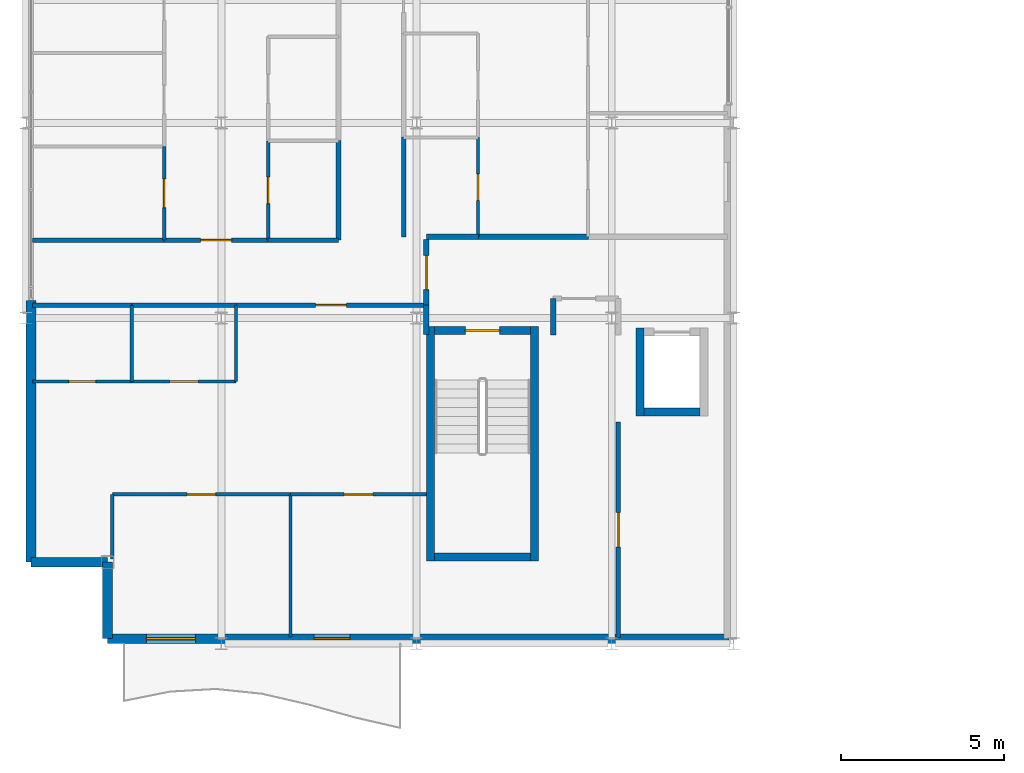
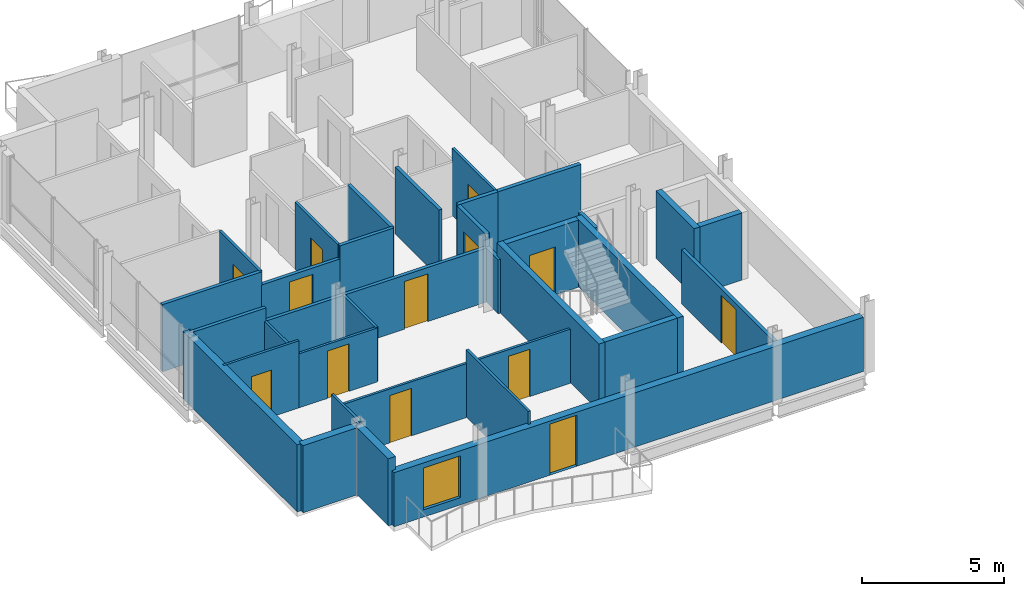
# One storey, part 23 of 29: 35 walls, 13 doors, 1 window, 14 openings.
"""IFC4 building model written with IfcOpenShell, lengths in metres."""

from ifc_helpers import new_model, si_unit, direction, frame, frame_2d, origin, place, context, subcontext, project, spatial, rectangle, extrude, material, layer, layer_set, type_object, element, fill, save


model = new_model("IFC4")

# Units and contexts
model_context = context("Model", 3, precision=1e-05, world=origin(), true_north=direction((0.0, 1.0)))
body_context = subcontext(model_context, "Body", "Model", "MODEL_VIEW")
ifc_project = project(units=[si_unit("LENGTHUNIT", "METRE"), si_unit("AREAUNIT", "SQUARE_METRE"), si_unit("VOLUMEUNIT", "CUBIC_METRE"), si_unit("PLANEANGLEUNIT", "RADIAN"), si_unit("MASSUNIT", "GRAM", prefix="KILO")], contexts=[model_context])

# Site, building, storey
site_placement = place(None, origin())
site = spatial("IfcSite", under=ifc_project, at=site_placement, CompositionType="ELEMENT")
building_placement = place(site_placement, origin())
building = spatial("IfcBuilding", under=site, at=building_placement, Name="Brevholm Reach", CompositionType="ELEMENT")
storey_placement = place(building_placement, frame((0.0, 0.0, 208.0)))
storey = spatial("IfcBuildingStorey", under=building, at=storey_placement, Name="L63", CompositionType="ELEMENT", Elevation=208.0)

# Walls
ifc_material_1 = material(Name="Concrete C45/55", Category="concrete")
ifc_layer_1 = layer(ifc_material_1, 0.239990234375)
ifc_layer_set_1 = layer_set([ifc_layer_1], Name="Concrete C45/55")
wall_type_1 = type_object("IfcWallType", Name="WAL-COR-240", PredefinedType="SHEAR", material=ifc_layer_set_1)
for number, where, z_axis, x_axis, name in (
    (1, (12.429931640625, 2.5400390625, 0.0), (0.0, 0.0, 1.0), (0.0, 1.0, 0.0), "L63 Escape Stair ST-1 Core Wall W"),
    (2, (15.6201171875, 2.5400390625, 0.0), (0.0, 0.0, 1.0), (0.0, 1.0, 0.0), "L63 Escape Stair ST-1 Core Wall E"),
):
    element("IfcWall", number, at=place(storey_placement, frame(where, z_axis=z_axis, x_axis=x_axis)), inside=storey, type_object=wall_type_1, Name=name, PredefinedType="SHEAR", context=body_context, shape_type="SweptSolid", body=[
        extrude(rectangle(XDim=7.199951171875, YDim=0.239990234375, at=frame_2d((3.60009765625, 0.0))), origin(), (0.0, 0.0, 1.0), 2.889892578125),
    ])
wall_1_placement = place(storey_placement, frame((12.550048828125, 2.659912109375, 0.0), z_axis=(0.0, 0.0, 1.0), x_axis=(1.0, 0.0, 0.0)))
element("IfcWall", 3, at=wall_1_placement, inside=storey, type_object=wall_type_1, Name="L63 Escape Stair ST-1 Core Wall S", PredefinedType="SHEAR", context=body_context, shape_type="SweptSolid", body=[
    extrude(rectangle(XDim=2.949951171875, YDim=0.239990234375, at=frame_2d((1.47509765625, 0.0))), origin(), (0.0, 0.0, 1.0), 2.889892578125),
])

# Wall, opening, door
wall_2_placement = place(storey_placement, frame((15.5, 9.6201171875, 0.0), z_axis=(0.0, 0.0, 1.0), x_axis=(-1.0, 0.0, 0.0)))
wall_2 = element("IfcWall", 4, at=wall_2_placement, inside=storey, type_object=wall_type_1, Name="L63 Escape Stair ST-1 Core Wall N", PredefinedType="SHEAR", context=body_context, shape_type="SweptSolid", body=[
    extrude(rectangle(XDim=2.949951171875, YDim=0.239990234375, at=frame_2d((1.47509765625, 0.0))), origin(), (0.0, 0.0, 1.0), 2.889892578125),
])
opening_1_placement = place(wall_2_placement, frame((0.949951171875, 0.0, 0.0)))
opening_1 = element("IfcOpeningElement", 5, at=opening_1_placement, cuts=wall_2, Name="Opening SD-ST-1", PredefinedType="OPENING", context=body_context, shape_type="SweptSolid", body=[
    extrude(rectangle(XDim=1.050048828125, YDim=2.06005859375, at=frame_2d((0.52490234375, 1.030029296875))), frame((0.0, 0.1298828125, 0.0), z_axis=(0.0, -1.0, 0.0), x_axis=(1.0, 0.0, 0.0)), (0.0, 0.0, 1.0), 0.260009765625),
])
ifc_material_2 = material(Name="Hardwood-Lipped Steel-Core Fire and Smoke Door", Category="steel")
door_type_1 = type_object("IfcDoorType", Name="DOR-INT-FD60S", OperationType="NOTDEFINED", PredefinedType="DOOR", material=ifc_material_2)
door_1_placement = place(opening_1_placement, origin())
door_1 = element("IfcDoor", 6, at=door_1_placement, inside=storey, type_object=door_type_1, Name="L63 Protected Stair ST-1 Lobby Door", OperationType="SINGLE_SWING_LEFT", OverallHeight=2.06005859375, OverallWidth=1.050048828125, PredefinedType="DOOR", context=body_context, shape_type="SweptSolid", body=[
    extrude(rectangle(XDim=1.050048828125, YDim=2.06005859375, at=frame_2d((0.52490234375, 1.030029296875))), frame((0.0, 0.02490234375, 0.0), z_axis=(0.0, -1.0, 0.0), x_axis=(1.0, 0.0, 0.0)), (0.0, 0.0, 1.0), 0.050048828125),
])
fill(opening_1, door_1)

# Walls
wall_3_placement = place(storey_placement, frame((18.8701171875, 7.0, 0.0), z_axis=(0.0, 0.0, 1.0), x_axis=(0.0, 1.0, 0.0)))
element("IfcWall", 7, at=wall_3_placement, inside=storey, type_object=wall_type_1, Name="L63 Lift FFL-1 Shaft Wall W", PredefinedType="SHEAR", context=body_context, shape_type="SweptSolid", body=[
    extrude(rectangle(XDim=2.699951171875, YDim=0.239990234375, at=frame_2d((1.35009765625, 0.0))), origin(), (0.0, 0.0, 1.0), 2.889892578125),
])
wall_4_placement = place(storey_placement, frame((18.989990234375, 7.1201171875, 0.0), z_axis=(0.0, 0.0, 1.0), x_axis=(1.0, 0.0, 0.0)))
element("IfcWall", 8, at=wall_4_placement, inside=storey, type_object=wall_type_1, Name="L63 Lift FFL-1 Shaft Wall S", PredefinedType="SHEAR", context=body_context, shape_type="SweptSolid", body=[
    extrude(rectangle(XDim=1.719970703125, YDim=0.239990234375, at=frame_2d((0.85986328125, 0.0))), origin(), (0.0, 0.0, 1.0), 2.889892578125),
])
ifc_material_3 = material(Name="Concrete C40/50", Category="concrete")
ifc_layer_2 = layer(ifc_material_3, 0.300048828125)
ifc_layer_set_2 = layer_set([ifc_layer_2], Name="Concrete C40/50")
wall_type_2 = type_object("IfcWallType", Name="WAL-EXT-300", PredefinedType="STANDARD", material=ifc_layer_set_2)
for number, where, z_axis, x_axis, name in (
    (9, (2.5, 2.5, 0.0), (0.0, 0.0, 1.0), (0.0, -1.0, 0.0), "L63 Facade Wall WAL-L63-WW-CSW1"),
    (10, (0.14990234375, 2.5, 0.0), (0.0, 0.0, 1.0), (1.0, 0.0, 0.0), "L63 Facade Wall WAL-L63-WW-CSW2"),
):
    element("IfcWall", number, at=place(storey_placement, frame(where, z_axis=z_axis, x_axis=x_axis)), inside=storey, type_object=wall_type_2, Name=name, PredefinedType="STANDARD", context=body_context, shape_type="SweptSolid", body=[
        extrude(rectangle(XDim=2.35009765625, YDim=0.300048828125, at=frame_2d((1.175048828125, 0.0))), origin(), (0.0, 0.0, 1.0), 2.889892578125),
    ])

# Wall, openings, door, window
wall_5_placement = place(storey_placement, frame((2.5, 0.14990234375, 0.0), z_axis=(0.0, 0.0, 1.0), x_axis=(1.0, 0.0, 0.0)))
wall_5 = element("IfcWall", 11, at=wall_5_placement, inside=storey, type_object=wall_type_2, Name="L63 Facade Wall WAL-L63-WW-S", PredefinedType="STANDARD", context=body_context, shape_type="SweptSolid", body=[
    extrude(rectangle(XDim=19.10009765625, YDim=0.300048828125, at=frame_2d((9.550048828125, 0.0))), origin(), (0.0, 0.0, 1.0), 2.331787109375),
])
opening_2_placement = place(wall_5_placement, frame((6.35009765625, 0.0, 0.0)))
opening_2 = element("IfcOpeningElement", 12, at=opening_2_placement, cuts=wall_5, Name="Opening BD-01", PredefinedType="OPENING", context=body_context, shape_type="SweptSolid", body=[
    extrude(rectangle(XDim=1.10009765625, YDim=2.199951171875, at=frame_2d((0.550048828125, 1.10009765625))), frame((0.0, 0.159912109375, 0.0), z_axis=(0.0, -1.0, 0.0), x_axis=(1.0, 0.0, 0.0)), (0.0, 0.0, 1.0), 0.320068359375),
])
opening_3_placement = place(wall_5_placement, frame((1.199951171875, 0.0, 0.31201171875)))
opening_3 = element("IfcOpeningElement", 13, at=opening_3_placement, cuts=wall_5, Name="Opening WN-05", PredefinedType="OPENING", context=body_context, shape_type="SweptSolid", body=[
    extrude(rectangle(XDim=1.5, YDim=1.800048828125, at=frame_2d((0.75, 0.89990234375))), frame((0.0, 0.159912109375, 0.0), z_axis=(0.0, -1.0, 0.0), x_axis=(1.0, 0.0, 0.0)), (0.0, 0.0, 1.0), 0.320068359375),
])
ifc_material_4 = material(Name="Dark Anodised Aluminium and Triple-Glazed Glass", Category="aluminium")
door_type_2 = type_object("IfcDoorType", Name="DOR-BALC-1100", OperationType="NOTDEFINED", PredefinedType="DOOR", material=ifc_material_4)
door_2_placement = place(opening_2_placement, origin())
door_2 = element("IfcDoor", 14, at=door_2_placement, inside=storey, type_object=door_type_2, Name="L63 Exterior Door DOR-L63-BL-SW", OperationType="SINGLE_SWING_RIGHT", OverallHeight=2.199951171875, OverallWidth=1.10009765625, PredefinedType="DOOR", context=body_context, shape_type="SweptSolid", body=[
    extrude(rectangle(XDim=1.10009765625, YDim=2.199951171875, at=frame_2d((0.550048828125, 1.10009765625))), frame((0.0, 0.02490234375, 0.0), z_axis=(0.0, -1.0, 0.0), x_axis=(1.0, 0.0, 0.0)), (0.0, 0.0, 1.0), 0.050048828125),
])
fill(opening_2, door_2)
ifc_material_5 = material(Name="Dark Anodised Aluminium and Solar-Control IGU Glass", Category="aluminium")
window_type = type_object("IfcWindowType", Name="WIN-RES-1500", PartitioningType="SINGLE_PANEL", PredefinedType="WINDOW", material=ifc_material_5)
window_placement = place(opening_3_placement, origin())
window = element("IfcWindow", 15, at=window_placement, inside=storey, type_object=window_type, Name="L63 Window WIN-L63-WWS-1", OverallHeight=1.800048828125, OverallWidth=1.5, PartitioningType="SINGLE_PANEL", PredefinedType="WINDOW", context=body_context, shape_type="SweptSolid", body=[
    extrude(rectangle(XDim=1.5, YDim=1.800048828125, at=frame_2d((0.75, 0.89990234375))), frame((0.0, 0.030029296875, 0.0), z_axis=(0.0, -1.0, 0.0), x_axis=(1.0, 0.0, 0.0)), (0.0, 0.0, 1.0), 0.06005859375),
])
fill(opening_3, window)

# Walls
wall_6_placement = place(storey_placement, frame((0.14990234375, 10.550048828125, 0.0), z_axis=(0.0, 0.0, 1.0), x_axis=(0.0, -1.0, 0.0)))
element("IfcWall", 16, at=wall_6_placement, inside=storey, type_object=wall_type_2, Name="L63 Facade Wall WAL-L63-WW-WS", PredefinedType="STANDARD", context=body_context, shape_type="SweptSolid", body=[
    extrude(rectangle(XDim=8.050048828125, YDim=0.300048828125, at=frame_2d((4.02490234375, 0.0))), origin(), (0.0, 0.0, 1.0), 2.889892578125),
])
ifc_material_6 = material(Name="Moisture-Resistant Acoustic Gypsum Stud Partition 100 mm", Category="gypsum")
ifc_layer_3 = layer(ifc_material_6, 0.10009765625)
ifc_layer_set_3 = layer_set([ifc_layer_3], Name="Moisture-Resistant Acoustic Gypsum Stud Partition 100 mm")
wall_type_3 = type_object("IfcWallType", Name="WAL-PRT-100", PredefinedType="PARTITIONING", material=ifc_layer_set_3)
wall_7_placement = place(storey_placement, frame((3.25, 8.053955078125, 0.0), z_axis=(0.0, 0.0, 1.0), x_axis=(0.0, 1.0, 0.0)))
element("IfcWall", 17, at=wall_7_placement, inside=storey, type_object=wall_type_3, Name="L63 Internal Partition 039", PredefinedType="PARTITIONING", context=body_context, shape_type="SweptSolid", body=[
    extrude(rectangle(XDim=2.342041015625, YDim=0.10009765625, at=frame_2d((1.1708984375, 0.0))), origin(), (0.0, 0.0, 1.0), 2.325439453125),
])

# Wall, opening, door
wall_8_placement = place(storey_placement, frame((0.199951171875, 8.053955078125, 0.0), z_axis=(0.0, 0.0, 1.0), x_axis=(1.0, 0.0, 0.0)))
wall_8 = element("IfcWall", 18, at=wall_8_placement, inside=storey, type_object=wall_type_3, Name="L63 Internal Partition 040", PredefinedType="PARTITIONING", context=body_context, shape_type="SweptSolid", body=[
    extrude(rectangle(XDim=3.050048828125, YDim=0.10009765625, at=frame_2d((1.52490234375, 0.0))), origin(), (0.0, 0.0, 1.0), 2.889892578125),
])
opening_4_placement = place(wall_8_placement, frame((1.114990234375, 0.0, 0.0)))
opening_4 = element("IfcOpeningElement", 19, at=opening_4_placement, cuts=wall_8, Name="Opening ID-03", PredefinedType="OPENING", context=body_context, shape_type="SweptSolid", body=[
    extrude(rectangle(XDim=0.820068359375, YDim=2.02001953125, at=frame_2d((0.41015625, 1.010009765625))), frame((0.0, 0.06005859375, 0.0), z_axis=(0.0, -1.0, 0.0), x_axis=(1.0, 0.0, 0.0)), (0.0, 0.0, 1.0), 0.1201171875),
])
ifc_material_7 = material(Name="Moisture-Resistant Painted Timber Internal Bathroom Door", Category="wood")
door_type_3 = type_object("IfcDoorType", Name="DOR-BATH-820", OperationType="NOTDEFINED", PredefinedType="DOOR", material=ifc_material_7)
door_3_placement = place(opening_4_placement, origin())
door_3 = element("IfcDoor", 20, at=door_3_placement, inside=storey, type_object=door_type_3, Name="L63 Internal Door 016", OperationType="SINGLE_SWING_LEFT", OverallHeight=2.02001953125, OverallWidth=0.820068359375, PredefinedType="DOOR", context=body_context, shape_type="SweptSolid", body=[
    extrude(rectangle(XDim=0.820068359375, YDim=2.02001953125, at=frame_2d((0.41015625, 1.010009765625))), frame((0.0, 0.02490234375, 0.0), z_axis=(0.0, -1.0, 0.0), x_axis=(1.0, 0.0, 0.0)), (0.0, 0.0, 1.0), 0.050048828125),
])
fill(opening_4, door_3)

wall_9_placement = place(storey_placement, frame((3.25390625, 8.053955078125, 0.0), z_axis=(0.0, 0.0, 1.0), x_axis=(1.0, 0.0, 0.0)))
wall_9 = element("IfcWall", 21, at=wall_9_placement, inside=storey, type_object=wall_type_3, Name="L63 Internal Partition 041", PredefinedType="PARTITIONING", context=body_context, shape_type="SweptSolid", body=[
    extrude(rectangle(XDim=3.196044921875, YDim=0.10009765625, at=frame_2d((1.59814453125, 0.0))), origin(), (0.0, 0.0, 1.0), 2.325439453125),
])
opening_5_placement = place(wall_9_placement, frame((1.157958984375, 0.0, 0.0)))
opening_5 = element("IfcOpeningElement", 22, at=opening_5_placement, cuts=wall_9, Name="Opening ID-01", PredefinedType="OPENING", context=body_context, shape_type="SweptSolid", body=[
    extrude(rectangle(XDim=0.8798828125, YDim=2.0400390625, at=frame_2d((0.43994140625, 1.02001953125))), frame((0.0, 0.06005859375, 0.0), z_axis=(0.0, -1.0, 0.0), x_axis=(1.0, 0.0, 0.0)), (0.0, 0.0, 1.0), 0.1201171875),
])
ifc_material_8 = material(Name="Lacquered Ash Solid-Core Acoustic Internal Door", Category="timber")
door_type_4 = type_object("IfcDoorType", Name="DOR-INT-880", OperationType="NOTDEFINED", PredefinedType="DOOR", material=ifc_material_8)
door_4_placement = place(opening_5_placement, origin())
door_4 = element("IfcDoor", 23, at=door_4_placement, inside=storey, type_object=door_type_4, Name="L63 Internal Door 017", OperationType="SINGLE_SWING_RIGHT", OverallHeight=2.0400390625, OverallWidth=0.8798828125, PredefinedType="DOOR", context=body_context, shape_type="SweptSolid", body=[
    extrude(rectangle(XDim=0.8798828125, YDim=2.0400390625, at=frame_2d((0.43994140625, 1.02001953125))), frame((0.0, 0.02490234375, 0.0), z_axis=(0.0, -1.0, 0.0), x_axis=(1.0, 0.0, 0.0)), (0.0, 0.0, 1.0), 0.050048828125),
])
fill(opening_5, door_4)

# Walls
wall_10_placement = place(storey_placement, frame((6.449951171875, 8.053955078125, 0.0), z_axis=(0.0, 0.0, 1.0), x_axis=(0.0, 1.0, 0.0)))
element("IfcWall", 24, at=wall_10_placement, inside=storey, type_object=wall_type_3, Name="L63 Internal Partition 042", PredefinedType="PARTITIONING", context=body_context, shape_type="SweptSolid", body=[
    extrude(rectangle(XDim=2.342041015625, YDim=0.10009765625, at=frame_2d((1.1708984375, 0.0))), origin(), (0.0, 0.0, 1.0), 2.325439453125),
])
wall_11_placement = place(storey_placement, frame((8.125, 0.199951171875, 0.0), z_axis=(0.0, 0.0, 1.0), x_axis=(0.0, 1.0, 0.0)))
element("IfcWall", 25, at=wall_11_placement, inside=storey, type_object=wall_type_3, Name="L63 Internal Partition 043", PredefinedType="PARTITIONING", context=body_context, shape_type="SweptSolid", body=[
    extrude(rectangle(XDim=4.385986328125, YDim=0.10009765625, at=frame_2d((2.19287109375, 0.0))), origin(), (0.0, 0.0, 1.0), 2.889892578125),
])
wall_12_placement = place(storey_placement, frame((2.64990234375, 2.599365234375, 0.0), z_axis=(0.0, 0.0, 1.0), x_axis=(0.0, 1.0, 0.0)))
element("IfcWall", 26, at=wall_12_placement, inside=storey, type_object=wall_type_3, Name="L63 Internal Partition 044", PredefinedType="PARTITIONING", context=body_context, shape_type="SweptSolid", body=[
    extrude(rectangle(XDim=1.986572265625, YDim=0.10009765625, at=frame_2d((0.9931640625, 0.0))), origin(), (0.0, 0.0, 1.0), 2.889892578125),
])

# Wall, opening, door
wall_13_placement = place(storey_placement, frame((2.64990234375, 4.5859375, 0.0), z_axis=(0.0, 0.0, 1.0), x_axis=(1.0, 0.0, 0.0)))
wall_13 = element("IfcWall", 27, at=wall_13_placement, inside=storey, type_object=wall_type_3, Name="L63 Internal Partition 045", PredefinedType="PARTITIONING", context=body_context, shape_type="SweptSolid", body=[
    extrude(rectangle(XDim=5.47509765625, YDim=0.10009765625, at=frame_2d((2.737548828125, 0.0))), origin(), (0.0, 0.0, 1.0), 2.325439453125),
])
opening_6_placement = place(wall_13_placement, frame((2.297607421875, 0.0, 0.0)))
opening_6 = element("IfcOpeningElement", 28, at=opening_6_placement, cuts=wall_13, Name="Opening ID-01", PredefinedType="OPENING", context=body_context, shape_type="SweptSolid", body=[
    extrude(rectangle(XDim=0.8798828125, YDim=2.0400390625, at=frame_2d((0.43994140625, 1.02001953125))), frame((0.0, 0.06005859375, 0.0), z_axis=(0.0, -1.0, 0.0), x_axis=(1.0, 0.0, 0.0)), (0.0, 0.0, 1.0), 0.1201171875),
])
door_5_placement = place(opening_6_placement, origin())
door_5 = element("IfcDoor", 29, at=door_5_placement, inside=storey, type_object=door_type_4, Name="L63 Internal Door 018", OperationType="SINGLE_SWING_LEFT", OverallHeight=2.0400390625, OverallWidth=0.8798828125, PredefinedType="DOOR", context=body_context, shape_type="SweptSolid", body=[
    extrude(rectangle(XDim=0.8798828125, YDim=2.0400390625, at=frame_2d((0.43994140625, 1.02001953125))), frame((0.0, 0.02490234375, 0.0), z_axis=(0.0, -1.0, 0.0), x_axis=(1.0, 0.0, 0.0)), (0.0, 0.0, 1.0), 0.050048828125),
])
fill(opening_6, door_5)

wall_14_placement = place(storey_placement, frame((8.12890625, 4.5859375, 0.0), z_axis=(0.0, 0.0, 1.0), x_axis=(1.0, 0.0, 0.0)))
wall_14 = element("IfcWall", 30, at=wall_14_placement, inside=storey, type_object=wall_type_3, Name="L63 Internal Partition 046", PredefinedType="PARTITIONING", context=body_context, shape_type="SweptSolid", body=[
    extrude(rectangle(XDim=4.171142578125, YDim=0.10009765625, at=frame_2d((2.08544921875, 0.0))), origin(), (0.0, 0.0, 1.0), 2.325439453125),
])
opening_7_placement = place(wall_14_placement, frame((1.6455078125, 0.0, 0.0)))
opening_7 = element("IfcOpeningElement", 31, at=opening_7_placement, cuts=wall_14, Name="Opening ID-01", PredefinedType="OPENING", context=body_context, shape_type="SweptSolid", body=[
    extrude(rectangle(XDim=0.8798828125, YDim=2.0400390625, at=frame_2d((0.43994140625, 1.02001953125))), frame((0.0, 0.06005859375, 0.0), z_axis=(0.0, -1.0, 0.0), x_axis=(1.0, 0.0, 0.0)), (0.0, 0.0, 1.0), 0.1201171875),
])
door_6_placement = place(opening_7_placement, origin())
door_6 = element("IfcDoor", 32, at=door_6_placement, inside=storey, type_object=door_type_4, Name="L63 Internal Door 019", OperationType="SINGLE_SWING_RIGHT", OverallHeight=2.0400390625, OverallWidth=0.8798828125, PredefinedType="DOOR", context=body_context, shape_type="SweptSolid", body=[
    extrude(rectangle(XDim=0.8798828125, YDim=2.0400390625, at=frame_2d((0.43994140625, 1.02001953125))), frame((0.0, 0.02490234375, 0.0), z_axis=(0.0, -1.0, 0.0), x_axis=(1.0, 0.0, 0.0)), (0.0, 0.0, 1.0), 0.050048828125),
])
fill(opening_7, door_6)

wall_15_placement = place(storey_placement, frame((7.43798828125, 12.404052734375, 0.0), z_axis=(0.0, 0.0, 1.0), x_axis=(0.0, 1.0, 0.0)))
wall_15 = element("IfcWall", 33, at=wall_15_placement, inside=storey, type_object=wall_type_3, Name="L63 Internal Partition 048", PredefinedType="PARTITIONING", context=body_context, shape_type="SweptSolid", body=[
    extrude(rectangle(XDim=3.0458984375, YDim=0.10009765625, at=frame_2d((1.52294921875, 0.0))), origin(), (0.0, 0.0, 1.0), 2.889892578125),
])
opening_8_placement = place(wall_15_placement, frame((1.113037109375, 0.0, 0.0)))
opening_8 = element("IfcOpeningElement", 34, at=opening_8_placement, cuts=wall_15, Name="Opening ID-03", PredefinedType="OPENING", context=body_context, shape_type="SweptSolid", body=[
    extrude(rectangle(XDim=0.820068359375, YDim=2.02001953125, at=frame_2d((0.41015625, 1.010009765625))), frame((0.0, 0.06005859375, 0.0), z_axis=(0.0, -1.0, 0.0), x_axis=(1.0, 0.0, 0.0)), (0.0, 0.0, 1.0), 0.1201171875),
])
door_7_placement = place(opening_8_placement, origin())
door_7 = element("IfcDoor", 35, at=door_7_placement, inside=storey, type_object=door_type_3, Name="L63 Internal Door 020", OperationType="SINGLE_SWING_LEFT", OverallHeight=2.02001953125, OverallWidth=0.820068359375, PredefinedType="DOOR", context=body_context, shape_type="SweptSolid", body=[
    extrude(rectangle(XDim=0.820068359375, YDim=2.02001953125, at=frame_2d((0.41015625, 1.010009765625))), frame((0.0, 0.02490234375, 0.0), z_axis=(0.0, -1.0, 0.0), x_axis=(1.0, 0.0, 0.0)), (0.0, 0.0, 1.0), 0.050048828125),
])
fill(opening_8, door_7)

wall_16_placement = place(storey_placement, frame((4.241943359375, 12.404052734375, 0.0), z_axis=(0.0, 0.0, 1.0), x_axis=(0.0, 1.0, 0.0)))
wall_16 = element("IfcWall", 36, at=wall_16_placement, inside=storey, type_object=wall_type_3, Name="L63 Internal Partition 054", PredefinedType="PARTITIONING", context=body_context, shape_type="SweptSolid", body=[
    extrude(rectangle(XDim=2.870849609375, YDim=0.10009765625, at=frame_2d((1.435546875, 0.0))), origin(), (0.0, 0.0, 1.0), 2.889892578125),
])
opening_9_placement = place(wall_16_placement, frame((0.99560546875, 0.0, 0.0)))
opening_9 = element("IfcOpeningElement", 37, at=opening_9_placement, cuts=wall_16, Name="Opening ID-01", PredefinedType="OPENING", context=body_context, shape_type="SweptSolid", body=[
    extrude(rectangle(XDim=0.8798828125, YDim=2.0400390625, at=frame_2d((0.43994140625, 1.02001953125))), frame((0.0, 0.06005859375, 0.0), z_axis=(0.0, -1.0, 0.0), x_axis=(1.0, 0.0, 0.0)), (0.0, 0.0, 1.0), 0.1201171875),
])
door_8_placement = place(opening_9_placement, origin())
door_8 = element("IfcDoor", 38, at=door_8_placement, inside=storey, type_object=door_type_4, Name="L63 Internal Door 023", OperationType="SINGLE_SWING_RIGHT", OverallHeight=2.0400390625, OverallWidth=0.8798828125, PredefinedType="DOOR", context=body_context, shape_type="SweptSolid", body=[
    extrude(rectangle(XDim=0.8798828125, YDim=2.0400390625, at=frame_2d((0.43994140625, 1.02001953125))), frame((0.0, 0.02490234375, 0.0), z_axis=(0.0, -1.0, 0.0), x_axis=(1.0, 0.0, 0.0)), (0.0, 0.0, 1.0), 0.050048828125),
])
fill(opening_9, door_8)

wall_17_placement = place(storey_placement, frame((13.888916015625, 12.50390625, 0.0), z_axis=(0.0, 0.0, 1.0), x_axis=(0.0, 1.0, 0.0)))
wall_17 = element("IfcWall", 39, at=wall_17_placement, inside=storey, type_object=wall_type_3, Name="L63 Internal Partition 062", PredefinedType="PARTITIONING", context=body_context, shape_type="SweptSolid", body=[
    extrude(rectangle(XDim=3.046142578125, YDim=0.10009765625, at=frame_2d((1.52294921875, 0.0))), origin(), (0.0, 0.0, 1.0), 2.889892578125),
])
opening_10_placement = place(wall_17_placement, frame((1.113037109375, 0.0, 0.0)))
opening_10 = element("IfcOpeningElement", 40, at=opening_10_placement, cuts=wall_17, Name="Opening ID-03", PredefinedType="OPENING", context=body_context, shape_type="SweptSolid", body=[
    extrude(rectangle(XDim=0.820068359375, YDim=2.02001953125, at=frame_2d((0.41015625, 1.010009765625))), frame((0.0, 0.06005859375, 0.0), z_axis=(0.0, -1.0, 0.0), x_axis=(1.0, 0.0, 0.0)), (0.0, 0.0, 1.0), 0.1201171875),
])
door_9_placement = place(opening_10_placement, origin())
door_9 = element("IfcDoor", 41, at=door_9_placement, inside=storey, type_object=door_type_3, Name="L63 Internal Door 027", OperationType="SINGLE_SWING_RIGHT", OverallHeight=2.02001953125, OverallWidth=0.820068359375, PredefinedType="DOOR", context=body_context, shape_type="SweptSolid", body=[
    extrude(rectangle(XDim=0.820068359375, YDim=2.02001953125, at=frame_2d((0.41015625, 1.010009765625))), frame((0.0, 0.02490234375, 0.0), z_axis=(0.0, -1.0, 0.0), x_axis=(1.0, 0.0, 0.0)), (0.0, 0.0, 1.0), 0.050048828125),
])
fill(opening_10, door_9)

ifc_material_9 = material(Name="Twin-Stud Acoustic Fire-Rated Gypsum Partition 140 mm", Category="gypsum")
ifc_layer_4 = layer(ifc_material_9, 0.139892578125)
ifc_layer_set_4 = layer_set([ifc_layer_4], Name="Twin-Stud Acoustic Fire-Rated Gypsum Partition 140 mm")
wall_type_4 = type_object("IfcWallType", Name="WAL-PRT-140", PredefinedType="PARTITIONING", material=ifc_layer_set_4)
wall_18_placement = place(storey_placement, frame((18.199951171875, 0.179931640625, 0.0), z_axis=(0.0, 0.0, 1.0), x_axis=(0.0, 1.0, 0.0)))
wall_18 = element("IfcWall", 42, at=wall_18_placement, inside=storey, type_object=wall_type_4, Name="L63 Internal Partition 001", PredefinedType="PARTITIONING", context=body_context, shape_type="SweptSolid", body=[
    extrude(rectangle(XDim=6.63134765625, YDim=0.139892578125, at=frame_2d((3.315673828125, 0.0))), origin(), (0.0, 0.0, 1.0), 2.325439453125),
])
opening_11_placement = place(wall_18_placement, frame((2.790771484375, 0.0, 0.0)))
opening_11 = element("IfcOpeningElement", 43, at=opening_11_placement, cuts=wall_18, Name="Opening FD-01", PredefinedType="OPENING", context=body_context, shape_type="SweptSolid", body=[
    extrude(rectangle(XDim=1.050048828125, YDim=2.06005859375, at=frame_2d((0.52490234375, 1.030029296875))), frame((0.0, 0.079833984375, 0.0), z_axis=(0.0, -1.0, 0.0), x_axis=(1.0, 0.0, 0.0)), (0.0, 0.0, 1.0), 0.159912109375),
])
door_10_placement = place(opening_11_placement, origin())
door_10 = element("IfcDoor", 44, at=door_10_placement, inside=storey, type_object=door_type_1, Name="L63 Internal Door 001", OperationType="SINGLE_SWING_RIGHT", OverallHeight=2.06005859375, OverallWidth=1.050048828125, PredefinedType="DOOR", context=body_context, shape_type="SweptSolid", body=[
    extrude(rectangle(XDim=1.050048828125, YDim=2.06005859375, at=frame_2d((0.52490234375, 1.030029296875))), frame((0.0, 0.02490234375, 0.0), z_axis=(0.0, -1.0, 0.0), x_axis=(1.0, 0.0, 0.0)), (0.0, 0.0, 1.0), 0.050048828125),
])
fill(opening_11, door_10)

# Walls
wall_19_placement = place(storey_placement, frame((0.199951171875, 10.39990234375, 0.0), z_axis=(0.0, 0.0, 1.0), x_axis=(1.0, 0.0, 0.0)))
element("IfcWall", 45, at=wall_19_placement, inside=storey, type_object=wall_type_4, Name="L63 Internal Partition 018", PredefinedType="PARTITIONING", context=body_context, shape_type="SweptSolid", body=[
    extrude(rectangle(XDim=3.061279296875, YDim=0.139892578125, at=frame_2d((1.53076171875, 0.0))), origin(), (0.0, 0.0, 1.0), 2.889892578125),
])
wall_20_placement = place(storey_placement, frame((3.24267578125, 10.39990234375, 0.0), z_axis=(0.0, 0.0, 1.0), x_axis=(1.0, 0.0, 0.0)))
element("IfcWall", 46, at=wall_20_placement, inside=storey, type_object=wall_type_4, Name="L63 Internal Partition 019", PredefinedType="PARTITIONING", context=body_context, shape_type="SweptSolid", body=[
    extrude(rectangle(XDim=3.218505859375, YDim=0.139892578125, at=frame_2d((1.609375, 0.0))), origin(), (0.0, 0.0, 1.0), 2.325439453125),
])

# Wall, opening, door
wall_21_placement = place(storey_placement, frame((6.442626953125, 10.39990234375, 0.0), z_axis=(0.0, 0.0, 1.0), x_axis=(1.0, 0.0, 0.0)))
wall_21 = element("IfcWall", 47, at=wall_21_placement, inside=storey, type_object=wall_type_4, Name="L63 Internal Partition 020", PredefinedType="PARTITIONING", context=body_context, shape_type="SweptSolid", body=[
    extrude(rectangle(XDim=5.853271484375, YDim=0.139892578125, at=frame_2d((2.9267578125, 0.0))), origin(), (0.0, 0.0, 1.0), 2.325439453125),
])
opening_12_placement = place(wall_21_placement, frame((2.45166015625, 0.0, 0.0)))
opening_12 = element("IfcOpeningElement", 48, at=opening_12_placement, cuts=wall_21, Name="Opening ID-30", PredefinedType="OPENING", context=body_context, shape_type="SweptSolid", body=[
    extrude(rectangle(XDim=0.949951171875, YDim=2.050048828125, at=frame_2d((0.47509765625, 1.02490234375))), frame((0.0, 0.079833984375, 0.0), z_axis=(0.0, -1.0, 0.0), x_axis=(1.0, 0.0, 0.0)), (0.0, 0.0, 1.0), 0.159912109375),
])
ifc_material_10 = material(Name="European Oak Veneered Solid-Core Fire Entrance Door", Category="timber")
door_type_5 = type_object("IfcDoorType", Name="DOR-FLT-FD30S", OperationType="NOTDEFINED", PredefinedType="DOOR", material=ifc_material_10)
door_11_placement = place(opening_12_placement, origin())
door_11 = element("IfcDoor", 49, at=door_11_placement, inside=storey, type_object=door_type_5, Name="L63 Internal Door 009", OperationType="SINGLE_SWING_RIGHT", OverallHeight=2.050048828125, OverallWidth=0.949951171875, PredefinedType="DOOR", context=body_context, shape_type="SweptSolid", body=[
    extrude(rectangle(XDim=0.949951171875, YDim=2.050048828125, at=frame_2d((0.47509765625, 1.02490234375))), frame((0.0, 0.02490234375, 0.0), z_axis=(0.0, -1.0, 0.0), x_axis=(1.0, 0.0, 0.0)), (0.0, 0.0, 1.0), 0.050048828125),
])
fill(opening_12, door_11)

# Walls
wall_22_placement = place(storey_placement, frame((7.4267578125, 12.39990234375, 0.0), z_axis=(0.0, 0.0, 1.0), x_axis=(1.0, 0.0, 0.0)))
element("IfcWall", 50, at=wall_22_placement, inside=storey, type_object=wall_type_4, Name="L63 Internal Partition 021", PredefinedType="PARTITIONING", context=body_context, shape_type="SweptSolid", body=[
    extrude(rectangle(XDim=2.1806640625, YDim=0.139892578125, at=frame_2d((1.09033203125, 0.0))), origin(), (0.0, 0.0, 1.0), 2.889892578125),
])
wall_23_placement = place(storey_placement, frame((0.199951171875, 12.39990234375, 0.0), z_axis=(0.0, 0.0, 1.0), x_axis=(1.0, 0.0, 0.0)))
element("IfcWall", 51, at=wall_23_placement, inside=storey, type_object=wall_type_4, Name="L63 Internal Partition 022", PredefinedType="PARTITIONING", context=body_context, shape_type="SweptSolid", body=[
    extrude(rectangle(XDim=4.053466796875, YDim=0.139892578125, at=frame_2d((2.02685546875, 0.0))), origin(), (0.0, 0.0, 1.0), 2.889892578125),
])

# Wall, opening, door
wall_24_placement = place(storey_placement, frame((4.234619140625, 12.39990234375, 0.0), z_axis=(0.0, 0.0, 1.0), x_axis=(1.0, 0.0, 0.0)))
wall_24 = element("IfcWall", 52, at=wall_24_placement, inside=storey, type_object=wall_type_4, Name="L63 Internal Partition 023", PredefinedType="PARTITIONING", context=body_context, shape_type="SweptSolid", body=[
    extrude(rectangle(XDim=3.210693359375, YDim=0.139892578125, at=frame_2d((1.60546875, 0.0))), origin(), (0.0, 0.0, 1.0), 2.325439453125),
])
opening_13_placement = place(wall_24_placement, frame((1.13037109375, 0.0, 0.0)))
opening_13 = element("IfcOpeningElement", 53, at=opening_13_placement, cuts=wall_24, Name="Opening ID-30", PredefinedType="OPENING", context=body_context, shape_type="SweptSolid", body=[
    extrude(rectangle(XDim=0.949951171875, YDim=2.050048828125, at=frame_2d((0.47509765625, 1.02490234375))), frame((0.0, 0.079833984375, 0.0), z_axis=(0.0, -1.0, 0.0), x_axis=(1.0, 0.0, 0.0)), (0.0, 0.0, 1.0), 0.159912109375),
])
door_12_placement = place(opening_13_placement, origin())
door_12 = element("IfcDoor", 54, at=door_12_placement, inside=storey, type_object=door_type_5, Name="L63 Internal Door 010", OperationType="SINGLE_SWING_LEFT", OverallHeight=2.050048828125, OverallWidth=0.949951171875, PredefinedType="DOOR", context=body_context, shape_type="SweptSolid", body=[
    extrude(rectangle(XDim=0.949951171875, YDim=2.050048828125, at=frame_2d((0.47509765625, 1.02490234375))), frame((0.0, 0.02490234375, 0.0), z_axis=(0.0, -1.0, 0.0), x_axis=(1.0, 0.0, 0.0)), (0.0, 0.0, 1.0), 0.050048828125),
])
fill(opening_13, door_12)

# Walls
wall_25_placement = place(storey_placement, frame((9.60009765625, 12.404052734375, 0.0), z_axis=(0.0, 0.0, 1.0), x_axis=(0.0, 1.0, 0.0)))
element("IfcWall", 55, at=wall_25_placement, inside=storey, type_object=wall_type_4, Name="L63 Internal Partition 024", PredefinedType="PARTITIONING", context=body_context, shape_type="SweptSolid", body=[
    extrude(rectangle(XDim=3.05712890625, YDim=0.139892578125, at=frame_2d((1.528564453125, 0.0))), origin(), (0.0, 0.0, 1.0), 2.889892578125),
])
wall_26_placement = place(storey_placement, frame((11.60009765625, 12.48876953125, 0.0), z_axis=(0.0, 0.0, 1.0), x_axis=(0.0, 1.0, 0.0)))
element("IfcWall", 56, at=wall_26_placement, inside=storey, type_object=wall_type_4, Name="L63 Internal Partition 027", PredefinedType="PARTITIONING", context=body_context, shape_type="SweptSolid", body=[
    extrude(rectangle(XDim=3.072509765625, YDim=0.139892578125, at=frame_2d((1.5361328125, 0.0))), origin(), (0.0, 0.0, 1.0), 2.889892578125),
])
ifc_material_11 = material(Name="Twin-Frame Fire-Rated Gypsum Board and Mineral Wool 160 mm", Category="gypsum")
ifc_layer_5 = layer(ifc_material_11, 0.159912109375)
ifc_layer_set_5 = layer_set([ifc_layer_5], Name="Twin-Frame Fire-Rated Gypsum Board and Mineral Wool 160 mm")
wall_type_5 = type_object("IfcWallType", Name="WAL-PRT-160", PredefinedType="PARTITIONING", material=ifc_layer_set_5)
wall_27_placement = place(storey_placement, frame((16.199951171875, 9.48876953125, 0.0), z_axis=(0.0, 0.0, 1.0), x_axis=(0.0, 1.0, 0.0)))
element("IfcWall", 57, at=wall_27_placement, inside=storey, type_object=wall_type_5, Name="L63 Internal Partition 002", PredefinedType="PARTITIONING", context=body_context, shape_type="SweptSolid", body=[
    extrude(rectangle(XDim=1.111328125, YDim=0.159912109375, at=frame_2d((0.5556640625, 0.0))), origin(), (0.0, 0.0, 1.0), 2.325439453125),
])

# Wall, opening, door
wall_28_placement = place(storey_placement, frame((12.300048828125, 10.388671875, 0.0), z_axis=(0.0, 0.0, 1.0), x_axis=(0.0, 1.0, 0.0)))
wall_28 = element("IfcWall", 58, at=wall_28_placement, inside=storey, type_object=wall_type_5, Name="L63 Internal Partition 013", PredefinedType="PARTITIONING", context=body_context, shape_type="SweptSolid", body=[
    extrude(rectangle(XDim=2.022705078125, YDim=0.159912109375, at=frame_2d((1.01123046875, 0.0))), origin(), (0.0, 0.0, 1.0), 2.889892578125),
])
opening_14_placement = place(wall_28_placement, frame((0.486328125, 0.0, 0.0)))
opening_14 = element("IfcOpeningElement", 59, at=opening_14_placement, cuts=wall_28, Name="Opening FD-01", PredefinedType="OPENING", context=body_context, shape_type="SweptSolid", body=[
    extrude(rectangle(XDim=1.050048828125, YDim=2.06005859375, at=frame_2d((0.52490234375, 1.030029296875))), frame((0.0, 0.08984375, 0.0), z_axis=(0.0, -1.0, 0.0), x_axis=(1.0, 0.0, 0.0)), (0.0, 0.0, 1.0), 0.179931640625),
])
door_13_placement = place(opening_14_placement, origin())
door_13 = element("IfcDoor", 60, at=door_13_placement, inside=storey, type_object=door_type_1, Name="L63 Internal Door 008", OperationType="SINGLE_SWING_LEFT", OverallHeight=2.06005859375, OverallWidth=1.050048828125, PredefinedType="DOOR", context=body_context, shape_type="SweptSolid", body=[
    extrude(rectangle(XDim=1.050048828125, YDim=2.06005859375, at=frame_2d((0.52490234375, 1.030029296875))), frame((0.0, 0.02490234375, 0.0), z_axis=(0.0, -1.0, 0.0), x_axis=(1.0, 0.0, 0.0)), (0.0, 0.0, 1.0), 0.050048828125),
])
fill(opening_14, door_13)

# Walls
wall_29_placement = place(storey_placement, frame((12.300048828125, 9.5, 0.0), z_axis=(0.0, 0.0, 1.0), x_axis=(0.0, 1.0, 0.0)))
element("IfcWall", 61, at=wall_29_placement, inside=storey, type_object=wall_type_5, Name="L63 Internal Partition 014", PredefinedType="PARTITIONING", context=body_context, shape_type="SweptSolid", body=[
    extrude(rectangle(XDim=0.9072265625, YDim=0.159912109375, at=frame_2d((0.45361328125, 0.0))), origin(), (0.0, 0.0, 1.0), 2.325439453125),
])
wall_30_placement = place(storey_placement, frame((12.300048828125, 12.5, 0.0), z_axis=(0.0, 0.0, 1.0), x_axis=(1.0, 0.0, 0.0)))
element("IfcWall", 62, at=wall_30_placement, inside=storey, type_object=wall_type_5, Name="L63 Internal Partition 015", PredefinedType="PARTITIONING", context=body_context, shape_type="SweptSolid", body=[
    extrude(rectangle(XDim=1.600341796875, YDim=0.159912109375, at=frame_2d((0.80029296875, 0.0))), origin(), (0.0, 0.0, 1.0), 2.889892578125),
])
wall_31_placement = place(storey_placement, frame((13.881591796875, 12.5, 0.0), z_axis=(0.0, 0.0, 1.0), x_axis=(1.0, 0.0, 0.0)))
element("IfcWall", 63, at=wall_31_placement, inside=storey, type_object=wall_type_5, Name="L63 Internal Partition 017", PredefinedType="PARTITIONING", context=body_context, shape_type="SweptSolid", body=[
    extrude(rectangle(XDim=3.396728515625, YDim=0.159912109375, at=frame_2d((1.6982421875, 0.0))), origin(), (0.0, 0.0, 1.0), 2.889892578125),
])

save(model, "model.ifc")
